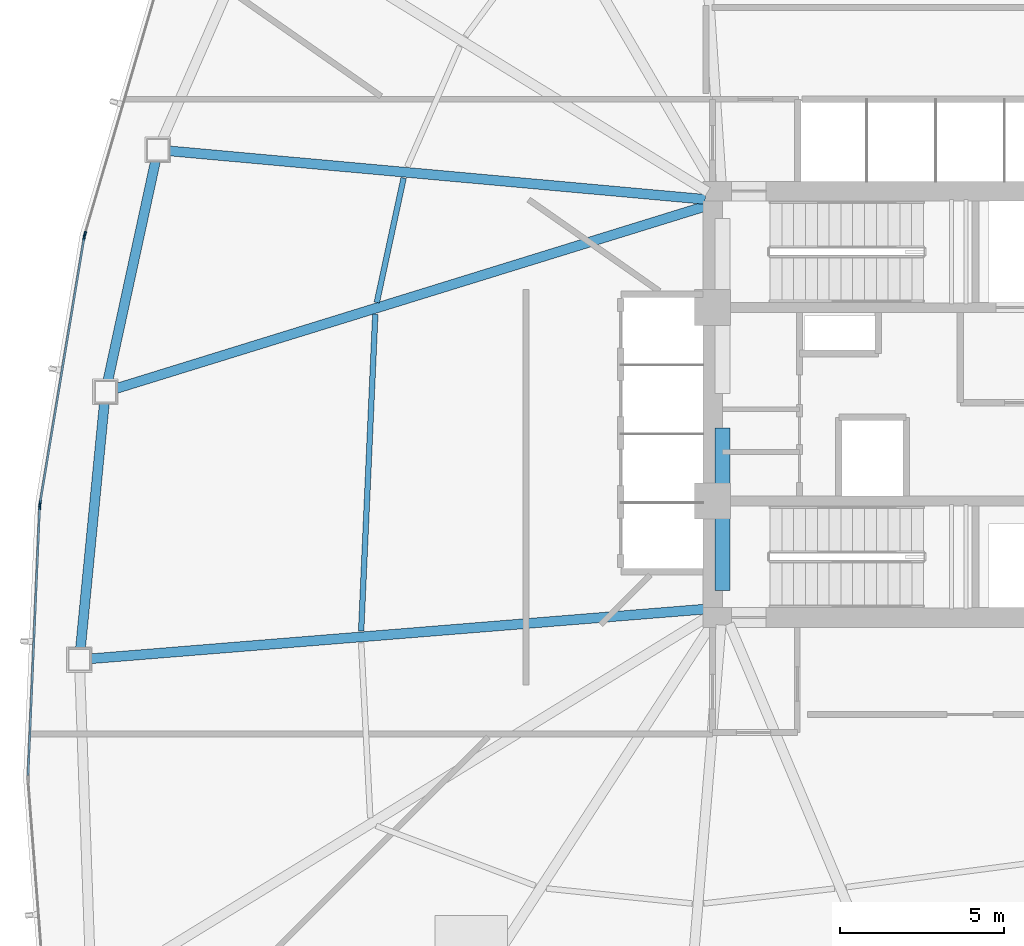
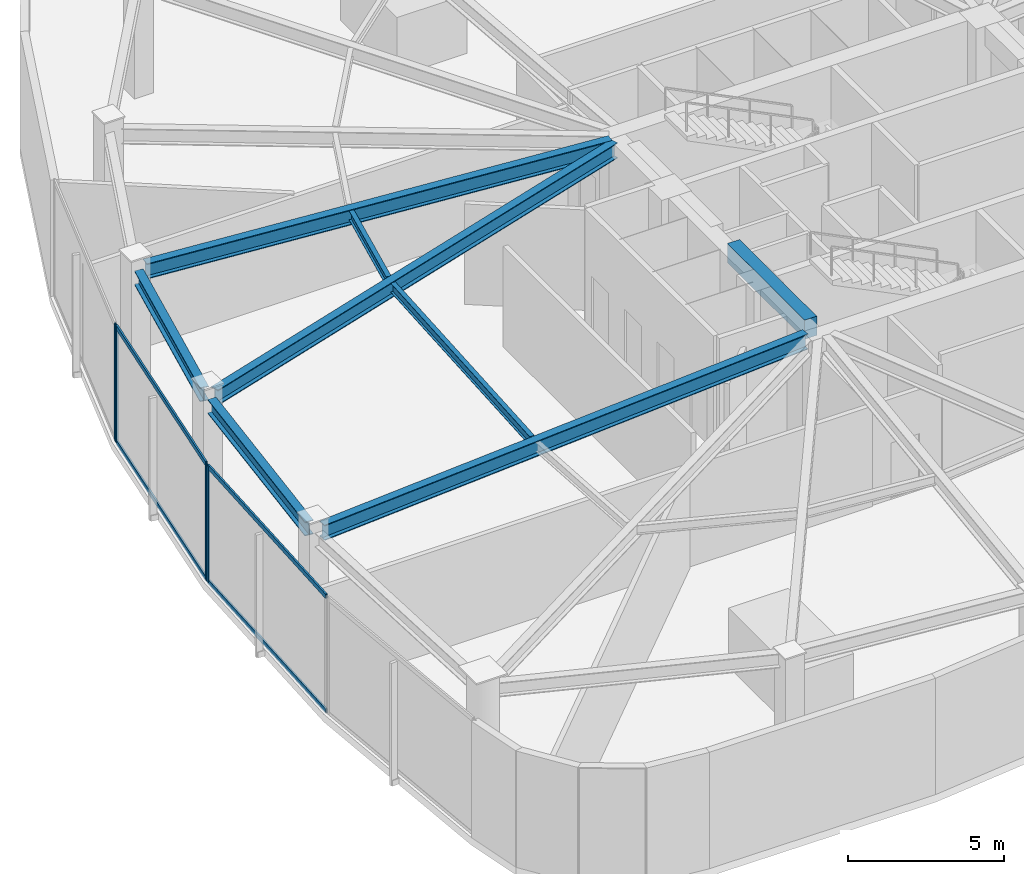
# One storey, part 4 of 16: 8 beams, 8 members, 3 elements without a shape of their own.
"""IFC4 building model written with IfcOpenShell, lengths in metres."""

from ifc_helpers import new_model, si_unit, direction, frame, origin, origin_2d, place, context, subcontext, project, spatial, rectangle, hollow_rectangle, i_section, extrude, source, transform, mapped, material, layer, layer_set, material_profile, profile_set, type_object, type_shapes, element, aggregate, save


model = new_model("IFC4")

# Units and contexts
model_context = context("Model", 3, precision=1e-05, world=origin(), true_north=direction((0.0, 1.0)))
body_context = subcontext(model_context, "Body", "Model", "MODEL_VIEW")
ifc_project = project(units=[si_unit("LENGTHUNIT", "METRE"), si_unit("AREAUNIT", "SQUARE_METRE"), si_unit("VOLUMEUNIT", "CUBIC_METRE"), si_unit("PLANEANGLEUNIT", "RADIAN"), si_unit("MASSUNIT", "GRAM", prefix="KILO")], contexts=[model_context])

# Site, building, storey
site_placement = place(None, origin())
site = spatial("IfcSite", under=ifc_project, at=site_placement, CompositionType="ELEMENT")
building_placement = place(site_placement, origin())
building = spatial("IfcBuilding", under=site, at=building_placement, Name="Tavelor Broadcast Tower", CompositionType="ELEMENT")
storey_placement = place(building_placement, frame((0.0, 0.0, 97.800048828125)))
storey = spatial("IfcBuildingStorey", under=building, at=storey_placement, Name="L23", CompositionType="ELEMENT", Elevation=97.800048828125)

# Beams
ifc_material_1 = material(Name="Concrete C40/50", Category="concrete")
ifc_material_profile_1 = material_profile(ifc_material_1, rectangle(XDim=0.449951171875, YDim=0.75, at=origin_2d()), Name="RC 450x750")
ifc_profile_set_1 = profile_set([ifc_material_profile_1], Name="Concrete C40/50")
beam_type_1 = type_object("IfcBeamType", Name="Basement Core Trim Beam 450x750", PredefinedType="BEAM", material=ifc_profile_set_1)
beam_1_placement = place(storey_placement, frame((43.39990234375, 39.327880859375, 4.175048828125), z_axis=(0.0, 1.0, 0.0), x_axis=(-1.0, 0.0, 0.0)))
element("IfcBeam", 1, at=beam_1_placement, inside=storey, type_object=beam_type_1, Name="L23 Core West-S Tie Girder", PredefinedType="BEAM", context=body_context, shape_type="SweptSolid", body=[
    extrude(rectangle(XDim=0.449951171875, YDim=0.75, at=origin_2d()), origin(), (0.0, 0.0, 1.0), 4.944091796875),
])
ifc_material_2 = material(Name="Steel S355", Category="steel")
ifc_material_profile_2 = material_profile(ifc_material_2, i_section(OverallWidth=0.169921875, OverallDepth=0.360107421875, WebThickness=0.008056640625, FlangeThickness=0.0126953125, at=origin_2d()), Name="IPE 360")
ifc_profile_set_2 = profile_set([ifc_material_profile_2], Name="Steel S355")
beam_type_2 = type_object("IfcBeamType", Name="Composite Floor Joist T2 IPE 360", PredefinedType="JOIST", material=ifc_profile_set_2)
beam_2_placement = place(storey_placement, frame((33.679931640625, 51.899658203125, 4.369873046875), z_axis=(-0.210632825907, -0.97756524726, 0.0), x_axis=(0.97756524726, -0.210632825907, 0.0)))
element("IfcBeam", 2, at=beam_2_placement, inside=storey, type_object=beam_type_2, Name="L23 Secondary Composite Floor Joist 04", PredefinedType="JOIST", context=body_context, shape_type="SweptSolid", body=[
    extrude(i_section(OverallWidth=0.169921875, OverallDepth=0.360107421875, WebThickness=0.008056640625, FlangeThickness=0.0126953125, at=origin_2d()), origin(), (0.0, 0.0, 1.0), 3.8818359375),
])
beam_3_placement = place(storey_placement, frame((32.816162109375, 47.747314453125, 4.369873046875), z_axis=(-0.044602263152, -0.999004823873, 0.0), x_axis=(0.999004823873, -0.044602263152, 0.0)))
element("IfcBeam", 3, at=beam_3_placement, inside=storey, type_object=beam_type_2, Name="L23 Secondary Composite Floor Joist 05", PredefinedType="JOIST", context=body_context, shape_type="SweptSolid", body=[
    extrude(i_section(OverallWidth=0.169921875, OverallDepth=0.360107421875, WebThickness=0.008056640625, FlangeThickness=0.0126953125, at=origin_2d()), origin(), (0.0, 0.0, 1.0), 9.66650390625),
])
ifc_material_profile_3 = material_profile(ifc_material_2, i_section(OverallWidth=0.300048828125, OverallDepth=0.550048828125, WebThickness=0.014892578125, FlangeThickness=0.029052734375, at=origin_2d()), Name="HEB 550")
ifc_profile_set_3 = profile_set([ifc_material_profile_3], Name="Steel S355")
beam_type_3 = type_object("IfcBeamType", Name="Perimeter Spandrel Beam T2 HEB 550", PredefinedType="SPANDREL", material=ifc_profile_set_3)
beam_4_placement = place(storey_placement, frame((26.1181640625, 52.4296875, 4.27490234375), z_axis=(-0.211875421449, -0.977296682582, 0.0), x_axis=(0.977296682582, -0.211875421449, 0.0)))
element("IfcBeam", 4, at=beam_4_placement, inside=storey, type_object=beam_type_3, Name="L23 Framed-Tube Ring Spandrel 04", PredefinedType="SPANDREL", context=body_context, shape_type="SweptSolid", body=[
    extrude(i_section(OverallWidth=0.300048828125, OverallDepth=0.550048828125, WebThickness=0.014892578125, FlangeThickness=0.029052734375, at=origin_2d()), origin(), (0.0, 0.0, 1.0), 6.876708984375),
])
beam_5_placement = place(storey_placement, frame((24.557373046875, 45.04638671875, 4.27490234375), z_axis=(-0.096929220198, -0.9952912771, 0.0), x_axis=(0.9952912771, -0.096929220198, 0.0)))
element("IfcBeam", 5, at=beam_5_placement, inside=storey, type_object=beam_type_3, Name="L23 Framed-Tube Ring Spandrel 05", PredefinedType="SPANDREL", context=body_context, shape_type="SweptSolid", body=[
    extrude(i_section(OverallWidth=0.300048828125, OverallDepth=0.550048828125, WebThickness=0.014892578125, FlangeThickness=0.029052734375, at=origin_2d()), origin(), (0.0, 0.0, 1.0), 7.531005859375),
])
ifc_material_profile_4 = material_profile(ifc_material_2, i_section(OverallWidth=0.300048828125, OverallDepth=0.60009765625, WebThickness=0.015380859375, FlangeThickness=0.030029296875, at=origin_2d()), Name="HEB 600")
ifc_profile_set_4 = profile_set([ifc_material_profile_4], Name="Steel S355")
beam_type_4 = type_object("IfcBeamType", Name="Radial Floor Girder T2 HEB 600", PredefinedType="BEAM", material=ifc_profile_set_4)
beam_6_placement = place(storey_placement, frame((42.874267578125, 51.24755859375, 4.25), z_axis=(-0.99592702313, 0.090162989073, 0.0), x_axis=(-0.090162989073, -0.99592702313, 0.0)))
element("IfcBeam", 6, at=beam_6_placement, inside=storey, type_object=beam_type_4, Name="L23 Radial Primary Floor Girder 04", PredefinedType="BEAM", context=body_context, shape_type="SweptSolid", body=[
    extrude(i_section(OverallWidth=0.300048828125, OverallDepth=0.60009765625, WebThickness=0.015380859375, FlangeThickness=0.030029296875, at=origin_2d()), origin(), (0.0, 0.0, 1.0), 16.417236328125),
])
beam_7_placement = place(storey_placement, frame((42.8955078125, 51.0439453125, 4.25), z_axis=(-0.9553264377, -0.295552698231, 0.0), x_axis=(0.295552698231, -0.9553264377, 0.0)))
element("IfcBeam", 7, at=beam_7_placement, inside=storey, type_object=beam_type_4, Name="L23 Radial Primary Floor Girder 05", PredefinedType="BEAM", context=body_context, shape_type="SweptSolid", body=[
    extrude(i_section(OverallWidth=0.300048828125, OverallDepth=0.60009765625, WebThickness=0.015380859375, FlangeThickness=0.030029296875, at=origin_2d()), origin(), (0.0, 0.0, 1.0), 18.82568359375),
])
beam_8_placement = place(storey_placement, frame((42.873779296875, 38.757568359375, 4.25), z_axis=(-0.996753141144, -0.080518169498, 0.0), x_axis=(0.080518169498, -0.996753141144, 0.0)))
element("IfcBeam", 8, at=beam_8_placement, inside=storey, type_object=beam_type_4, Name="L23 Radial Primary Floor Girder 06", PredefinedType="BEAM", context=body_context, shape_type="SweptSolid", body=[
    extrude(i_section(OverallWidth=0.300048828125, OverallDepth=0.60009765625, WebThickness=0.015380859375, FlangeThickness=0.030029296875, at=origin_2d()), origin(), (0.0, 0.0, 1.0), 18.80517578125),
])

# Curtain wall, member
ifc_material_3 = material(Name="Architectural Anodized Aluminium", Category="aluminium")
ifc_layer = layer(ifc_material_3, 0.179931640625)
ifc_layer_set = layer_set([ifc_layer], Name="Architectural Anodized Aluminium")
curtain_wall_type = type_object("IfcCurtainWallType", Name="Tower Low-Zone Unitised Curtain Wall CW02", PredefinedType="NOTDEFINED", material=ifc_layer_set)
curtain_wall_1_placement = place(storey_placement, origin())
curtain_wall_1 = element("IfcCurtainWall", 9, at=curtain_wall_1_placement, inside=storey, type_object=curtain_wall_type, Name="L23 Curtain Wall CW02 Run 229", PredefinedType="NOTDEFINED")
ifc_material_profile_5 = material_profile(ifc_material_3, hollow_rectangle(XDim=0.06494140625, YDim=0.179931640625, WallThickness=0.02197265625, at=origin_2d()), Name="RHS 65x180x22")
ifc_profile_set_5 = profile_set([ifc_material_profile_5], Name="Architectural Anodized Aluminium")
member_type_1 = type_object("IfcMemberType", Name="CW02 Extruded Aluminium Mullion 65x180", PredefinedType="MULLION", material=ifc_profile_set_5)
shared_shape_1 = source(origin(), body_context, "Body", "SweptSolid", [
    extrude(hollow_rectangle(XDim=0.06494140625, YDim=0.179931640625, WallThickness=0.02197265625, at=origin_2d()), origin(), (0.0, 0.0, 1.0), 4.550048828125),
])
type_shapes(member_type_1, [shared_shape_1])
member_1_placement = place(storey_placement, frame((23.964111328125, 50.187255859375, 0.0), z_axis=(0.0, 0.0, 1.0), x_axis=(0.959433266232, -0.281935821858, 0.0)))
member_1 = element("IfcMember", 10, at=member_1_placement, type_object=member_type_1, Name="CW02 mullion 2", PredefinedType="MULLION", context=body_context, shape_type="MappedRepresentation", body=[
    mapped(shared_shape_1, transform((0.0, 0.0, 0.0), scale=1.0)),
])
aggregate(curtain_wall_1, [member_1])

# Curtain wall, members
curtain_wall_2_placement = place(storey_placement, origin())
curtain_wall_2 = element("IfcCurtainWall", 11, at=curtain_wall_2_placement, inside=storey, type_object=curtain_wall_type, Name="L23 Curtain Wall CW02 Run 230", PredefinedType="NOTDEFINED")
member_2_placement = place(storey_placement, frame((23.943115234375, 50.0947265625, 0.0), z_axis=(0.0, 0.0, 1.0), x_axis=(0.986502466951, -0.163746397518, 0.0)))
member_2 = element("IfcMember", 12, at=member_2_placement, type_object=member_type_1, Name="CW02 mullion 1", PredefinedType="MULLION", context=body_context, shape_type="MappedRepresentation", body=[
    mapped(shared_shape_1, transform((0.0, 0.0, 0.0), scale=1.0)),
])
member_3_placement = place(storey_placement, frame((22.5947265625, 41.970947265625, 0.0), z_axis=(0.0, 0.0, 1.0), x_axis=(0.986502466951, -0.163746397518, 0.0)))
member_3 = element("IfcMember", 13, at=member_3_placement, type_object=member_type_1, Name="CW02 mullion 2", PredefinedType="MULLION", context=body_context, shape_type="MappedRepresentation", body=[
    mapped(shared_shape_1, transform((0.0, 0.0, 0.0), scale=1.0)),
])

# Curtain wall, member
curtain_wall_3_placement = place(storey_placement, origin())
curtain_wall_3 = element("IfcCurtainWall", 14, at=curtain_wall_3_placement, inside=storey, type_object=curtain_wall_type, Name="L23 Curtain Wall CW02 Run 231", PredefinedType="NOTDEFINED")
member_4_placement = place(storey_placement, frame((22.584716796875, 41.87646484375, 0.0), z_axis=(0.0, 0.0, 1.0), x_axis=(0.999067286944, -0.043180506691, 0.0)))
member_4 = element("IfcMember", 15, at=member_4_placement, type_object=member_type_1, Name="CW02 mullion 1", PredefinedType="MULLION", context=body_context, shape_type="MappedRepresentation", body=[
    mapped(shared_shape_1, transform((0.0, 0.0, 0.0), scale=1.0)),
])

# Member
ifc_material_profile_6 = material_profile(ifc_material_3, hollow_rectangle(XDim=0.06494140625, YDim=0.179931640625, WallThickness=0.02197265625, at=origin_2d()), Name="RHS 65x180x22")
ifc_profile_set_6 = profile_set([ifc_material_profile_6], Name="Architectural Anodized Aluminium")
member_type_2 = type_object("IfcMemberType", Name="CW02 Extruded Aluminium Transom 65x180", PredefinedType="USERDEFINED", material=ifc_profile_set_6)
shared_shape_2 = source(origin(), body_context, "Body", "SweptSolid", [
    extrude(hollow_rectangle(XDim=0.06494140625, YDim=0.179931640625, WallThickness=0.02197265625, at=origin_2d()), origin(), (0.0, 0.0, 1.0), 8.170166015625),
])
member_5_placement = place(storey_placement, frame((23.937744140625, 50.062744140625, 0.032470703125), z_axis=(-0.163754465808, -0.986501127687, 0.0), x_axis=(0.986501127687, -0.163754465808, 0.0)))
member_5 = element("IfcMember", 16, at=member_5_placement, type_object=member_type_2, Name="CW02 transom 1.1", ObjectType="TRANSOM", PredefinedType="USERDEFINED", context=body_context, shape_type="MappedRepresentation", body=[
    mapped(shared_shape_2, transform((0.0, 0.0, 0.0), scale=1.0)),
])

member_6_placement = place(storey_placement, frame((23.937744140625, 50.062744140625, 4.517333984375), z_axis=(-0.163754465808, -0.986501127687, 0.0), x_axis=(0.986501127687, -0.163754465808, 0.0)))
member_6 = element("IfcMember", 17, at=member_6_placement, type_object=member_type_2, Name="CW02 transom 1.2", ObjectType="TRANSOM", PredefinedType="USERDEFINED", context=body_context, shape_type="MappedRepresentation", body=[
    mapped(shared_shape_2, transform((0.0, 0.0, 0.0), scale=1.0)),
])

aggregate(curtain_wall_2, [member_2, member_3, member_5, member_6])

shared_shape_3 = source(origin(), body_context, "Body", "SweptSolid", [
    extrude(hollow_rectangle(XDim=0.06494140625, YDim=0.179931640625, WallThickness=0.02197265625, at=origin_2d()), origin(), (0.0, 0.0, 1.0), 8.169921875),
])
type_shapes(member_type_2, [shared_shape_2, shared_shape_3])
member_7_placement = place(storey_placement, frame((22.58349609375, 41.843994140625, 0.032470703125), z_axis=(-0.043180457414, -0.999067289074, 0.0), x_axis=(0.999067289074, -0.043180457414, 0.0)))
member_7 = element("IfcMember", 18, at=member_7_placement, type_object=member_type_2, Name="CW02 transom 1.1", ObjectType="TRANSOM", PredefinedType="USERDEFINED", context=body_context, shape_type="MappedRepresentation", body=[
    mapped(shared_shape_3, transform((0.0, 0.0, 0.0), scale=1.0)),
])

member_8_placement = place(storey_placement, frame((22.58349609375, 41.843994140625, 4.517333984375), z_axis=(-0.043180457414, -0.999067289074, 0.0), x_axis=(0.999067289074, -0.043180457414, 0.0)))
member_8 = element("IfcMember", 19, at=member_8_placement, type_object=member_type_2, Name="CW02 transom 1.2", ObjectType="TRANSOM", PredefinedType="USERDEFINED", context=body_context, shape_type="MappedRepresentation", body=[
    mapped(shared_shape_3, transform((0.0, 0.0, 0.0), scale=1.0)),
])

aggregate(curtain_wall_3, [member_4, member_7, member_8])

save(model, "model.ifc")
